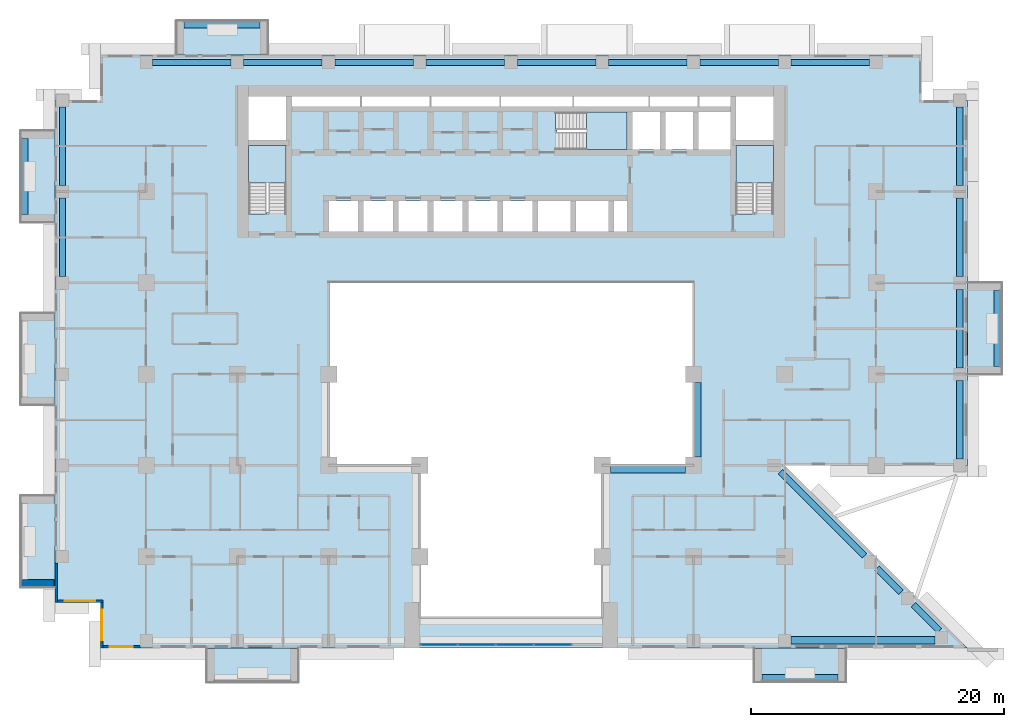
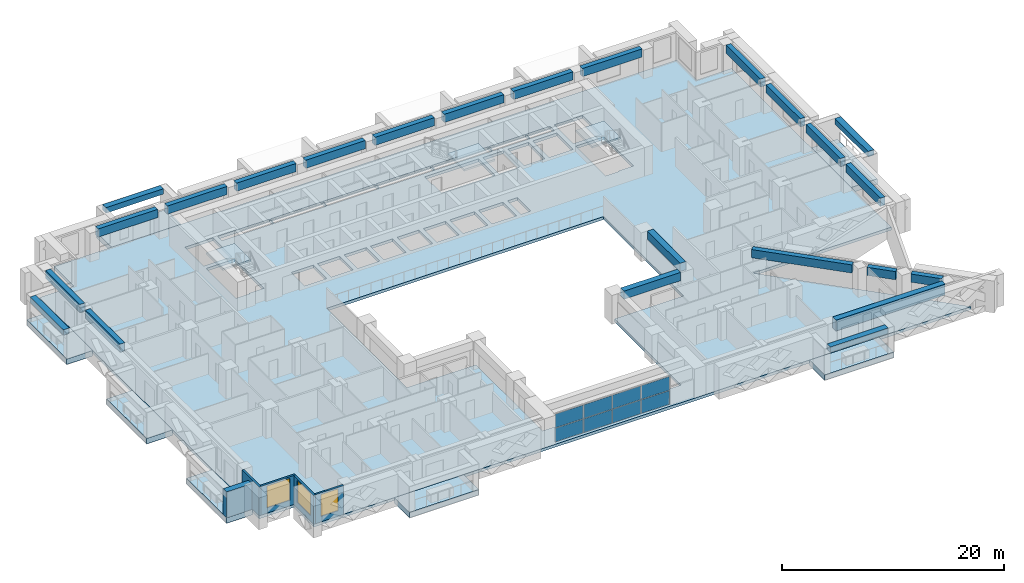
# One storey, part 5 of 17: 24 beams, 11 slabs, 8 plates, 5 walls, 3 windows, 3 openings, 4 elements without a shape of their own.
"""IFC4 building model written with IfcOpenShell, lengths in metres."""

import ifcopenshell
import ifcopenshell.guid

model = None  # the IFC model being written
_history = None  # IfcOwnerHistory: only IFC2X3 demands one
_inside = {}  # id of a spatial element -> (the spatial element, [elements in it])
_under = {}  # id of a project, library or spatial element -> (it, [spatial elements below it])
_declared = {}  # id of a project -> (the project, [libraries it declares])
_typed = {}  # id of a type object -> (the type object, [elements of that type])
_made_of = {}  # id of a material, layer set ... -> (it, [elements and type objects made of it])


def new_model(schema):
    """Start an empty IFC model of exactly this schema.

    Asked for "IFC4X3", IfcOpenShell would pick the latest addendum, in which some entities
    have other attributes; the version numbers below select the first issue.
    IFC2X3 requires an IfcOwnerHistory on every rooted entity: one is made here for all.
    """
    global model, _history
    if schema == "IFC4X3":
        model = ifcopenshell.file(schema_version=(4, 3, 0, 0))
    else:
        model = ifcopenshell.file(schema=schema)
    _inside.clear()
    _under.clear()
    _declared.clear()
    _typed.clear()
    _made_of.clear()
    _history = None
    if model.schema == "IFC2X3":
        org = make("IfcOrganization", Name="unknown")
        user = make(
            "IfcPersonAndOrganization",
            ThePerson=make("IfcPerson", FamilyName="unknown"),
            TheOrganization=org,
        )
        app = make(
            "IfcApplication",
            ApplicationDeveloper=org,
            Version="unknown",
            ApplicationFullName="unknown",
            ApplicationIdentifier="unknown",
        )
        _history = make(
            "IfcOwnerHistory",
            OwningUser=user,
            OwningApplication=app,
            ChangeAction="ADDED",
            CreationDate=0,
        )
    return model


def make(cls, **values):
    """One entity of the class cls with the attributes given. An attribute that is None is left unset."""
    return model.create_entity(
        cls, **{name: value for name, value in values.items() if value is not None}
    )


def rooted(cls, **values):
    """An entity with a GlobalId (a new one), such as an element, a storey or a relation."""
    return make(cls, GlobalId=ifcopenshell.guid.new(), OwnerHistory=_history, **values)


def si_unit(unit_type, name, prefix=None):
    """IfcSIUnit, for example si_unit("LENGTHUNIT", "METRE", prefix="MILLI")."""
    return make("IfcSIUnit", UnitType=unit_type, Prefix=prefix, Name=name)


def assignment(units):
    """IfcUnitAssignment: the units of a project."""
    return None if units is None else make("IfcUnitAssignment", Units=units)


def point(xyz):
    """IfcCartesianPoint."""
    return None if xyz is None else make("IfcCartesianPoint", Coordinates=xyz)


def direction(xyz):
    """IfcDirection."""
    return None if xyz is None else make("IfcDirection", DirectionRatios=xyz)


def frame(location, z_axis=None, x_axis=None):
    """IfcAxis2Placement3D, a coordinate frame: its origin and axes. An axis left out is left unset."""
    return make(
        "IfcAxis2Placement3D",
        Location=point(location),
        Axis=direction(z_axis),
        RefDirection=direction(x_axis),
    )


def frame_2d(location, x_axis=None):
    """IfcAxis2Placement2D, a coordinate frame in the plane: its origin and x axis."""
    return make(
        "IfcAxis2Placement2D", Location=point(location), RefDirection=direction(x_axis)
    )


def origin():
    """The frame at (0, 0, 0) with its axes left unset."""
    return frame((0.0, 0.0, 0.0))


def origin_2d():
    """The frame at (0, 0) in the plane with its x axis left unset."""
    return frame_2d((0.0, 0.0))


def place(relative_to, where):
    """IfcLocalPlacement: puts the frame where relative to a parent placement (None: the world)."""
    return make(
        "IfcLocalPlacement", PlacementRelTo=relative_to, RelativePlacement=where
    )


def context(
    kind, dimensions, precision=None, world=None, true_north=None, identifier=None
):
    """IfcGeometricRepresentationContext, for example the 3D "Model" context."""
    return make(
        "IfcGeometricRepresentationContext",
        ContextIdentifier=identifier,
        ContextType=kind,
        CoordinateSpaceDimension=dimensions,
        Precision=precision,
        WorldCoordinateSystem=world,
        TrueNorth=true_north,
    )


def subcontext(parent, identifier, kind, view, scale=None):
    """IfcGeometricRepresentationSubContext, for example "Body" below "Model"."""
    return make(
        "IfcGeometricRepresentationSubContext",
        ContextIdentifier=identifier,
        ContextType=kind,
        ParentContext=parent,
        TargetScale=scale,
        TargetView=view,
    )


def project(units=None, contexts=None):
    """IfcProject with its units and contexts."""
    return rooted(
        "IfcProject",
        Name="project",
        RepresentationContexts=contexts,
        UnitsInContext=assignment(units),
    )


def spatial(cls, under=None, at=None, **own):
    """A site, building, storey or space (cls), placed at a placement, below another one or the project."""
    s = rooted(cls, ObjectPlacement=at, **own)
    if under is not None:
        _under.setdefault(under.id(), (under, []))[1].append(s)
    return s


def polyline(points):
    """IfcPolyline through the points."""
    return make("IfcPolyline", Points=[point(p) for p in points])


def profile(cls, at=None, kind="AREA", **sizes):
    """A parametric profile (cls). Its sizes go by their IFC names, for example OverallWidth=200.0."""
    return make(cls, ProfileType=kind, Position=at, **sizes)


def rectangle(**sizes):
    """IfcRectangleProfileDef."""
    return profile("IfcRectangleProfileDef", **sizes)


def outline(outer, holes=None, kind="AREA"):
    """IfcArbitraryClosedProfileDef: a profile drawn as a closed curve; with holes, ...WithVoids."""
    if holes is None:
        return make("IfcArbitraryClosedProfileDef", ProfileType=kind, OuterCurve=outer)
    return make(
        "IfcArbitraryProfileDefWithVoids",
        ProfileType=kind,
        OuterCurve=outer,
        InnerCurves=holes,
    )


def extrude(swept, where, along, depth):
    """IfcExtrudedAreaSolid: the profile swept, set in the frame where, extruded along a direction by depth."""
    return make(
        "IfcExtrudedAreaSolid",
        SweptArea=swept,
        Position=where,
        ExtrudedDirection=direction(along),
        Depth=depth,
    )


def shape(context_of_items, identifier, shape_type, items):
    """IfcShapeRepresentation: the items that make up one representation, for example the "Body"."""
    return make(
        "IfcShapeRepresentation",
        ContextOfItems=context_of_items,
        RepresentationIdentifier=identifier,
        RepresentationType=shape_type,
        Items=items,
    )


def source(mapping_origin, context_of_items, identifier, shape_type, items):
    """IfcRepresentationMap: a shape defined once, which mapped items show again and again."""
    return make(
        "IfcRepresentationMap",
        MappingOrigin=mapping_origin,
        MappedRepresentation=shape(context_of_items, identifier, shape_type, items),
    )


def transform(
    local_origin,
    x_axis=None,
    y_axis=None,
    z_axis=None,
    scale=None,
    scale2=None,
    scale3=None,
    uniform=True,
):
    """IfcCartesianTransformationOperator3D, or its non-uniform kind. x_axis, y_axis, z_axis: its Axis1, 2, 3."""
    if uniform:
        return make(
            "IfcCartesianTransformationOperator3D",
            Axis1=direction(x_axis),
            Axis2=direction(y_axis),
            LocalOrigin=point(local_origin),
            Scale=scale,
            Axis3=direction(z_axis),
        )
    return make(
        "IfcCartesianTransformationOperator3DnonUniform",
        Axis1=direction(x_axis),
        Axis2=direction(y_axis),
        LocalOrigin=point(local_origin),
        Scale=scale,
        Axis3=direction(z_axis),
        Scale2=scale2,
        Scale3=scale3,
    )


def mapped(mapping_source, mapping_target):
    """IfcMappedItem: shows the shape of a source again, moved by a transform."""
    return make(
        "IfcMappedItem", MappingSource=mapping_source, MappingTarget=mapping_target
    )


def material(Name=None, Category=None):
    """IfcMaterial."""
    return make("IfcMaterial", Name=Name, Category=Category)


def layer(
    of_material, thickness, ventilated=None, Name=None, Category=None, Priority=None
):
    """IfcMaterialLayer: one layer of a wall or slab, of a material (None: an air gap)."""
    return make(
        "IfcMaterialLayer",
        Material=of_material,
        LayerThickness=thickness,
        IsVentilated=ventilated,
        Name=Name,
        Category=Category,
        Priority=Priority,
    )


def layer_set(layers, Name=None):
    """IfcMaterialLayerSet."""
    return make("IfcMaterialLayerSet", MaterialLayers=layers, LayerSetName=Name)


def material_profile(
    of_material, cross_section, Name=None, Category=None, Priority=None
):
    """IfcMaterialProfile: a cross section and its material."""
    return make(
        "IfcMaterialProfile",
        Name=Name,
        Material=of_material,
        Profile=cross_section,
        Priority=Priority,
        Category=Category,
    )


def profile_set(profiles, Name=None, composite=None):
    """IfcMaterialProfileSet."""
    return make(
        "IfcMaterialProfileSet",
        Name=Name,
        MaterialProfiles=profiles,
        CompositeProfile=composite,
    )


def made_of(thing, what):
    """Note that an element or type object is made of a material, layer set ...; save() writes the relation."""
    if what is not None:
        _made_of.setdefault(what.id(), (what, []))[1].append(thing)
    return thing


def type_object(cls, material=None, **own):
    """A type object (cls), such as IfcWallType, which elements share."""
    return made_of(rooted(cls, **own), material)


def element(
    cls,
    number,
    at=None,
    inside=None,
    cuts=None,
    type_object=None,
    material=None,
    context=None,
    identifier="Body",
    shape_type=None,
    held_by="IfcProductDefinitionShape",
    body=None,
    shapes=None,
    **own,
):
    """One element of the class cls, such as IfcWall. Its Tag is "e" and its number.

    at: its placement. inside: the storey or other place that contains it. cuts: it is an
    opening in that element (IfcRelVoidsElement). A single representation is given by context,
    identifier, shape_type and body (its items); several are given by shapes. held_by: the class
    of the entity that holds the representations. save() writes the other relations.
    """
    e = rooted(cls, Tag="e%d" % number, ObjectPlacement=at, **own)
    if body is not None:
        shapes = [shape(context, identifier, shape_type, body)]
    if shapes is not None:
        e.Representation = make(held_by, Representations=shapes)
    if inside is not None:
        _inside.setdefault(inside.id(), (inside, []))[1].append(e)
    if cuts is not None:
        rooted(
            "IfcRelVoidsElement", RelatingBuildingElement=cuts, RelatedOpeningElement=e
        )
    if type_object is not None:
        _typed.setdefault(type_object.id(), (type_object, []))[1].append(e)
    return made_of(e, material)


def fill(opening, filler):
    """IfcRelFillsElement: the door or window that sits in an opening."""
    return rooted(
        "IfcRelFillsElement",
        RelatingOpeningElement=opening,
        RelatedBuildingElement=filler,
    )


def aggregate(whole, parts):
    """IfcRelAggregates: a whole, such as a stair, and the parts it consists of."""
    return rooted("IfcRelAggregates", RelatingObject=whole, RelatedObjects=parts)


def save(model, path):
    """Write the relations noted so far, then the file.

    IfcRelAggregates (storeys below a building ...), IfcRelContainedInSpatialStructure (elements
    in a storey), IfcRelDefinesByType, IfcRelAssociatesMaterial and IfcRelDeclares: one each for
    every whole, place, type object, material and project.
    """
    for whole, parts in _under.values():
        aggregate(whole, parts)
    for where, things in _inside.values():
        rooted(
            "IfcRelContainedInSpatialStructure",
            RelatedElements=things,
            RelatingStructure=where,
        )
    for kind, things in _typed.values():
        rooted("IfcRelDefinesByType", RelatedObjects=things, RelatingType=kind)
    for what, things in _made_of.values():
        rooted("IfcRelAssociatesMaterial", RelatedObjects=things, RelatingMaterial=what)
    for by, libraries in _declared.values():
        rooted("IfcRelDeclares", RelatingContext=by, RelatedDefinitions=libraries)
    model.write(path)


model = new_model("IFC4")

# Units and contexts
model_context = context("Model", 3, precision=1e-05, world=origin(), true_north=direction((0.0, 1.0)))
body_context = subcontext(model_context, "Body", "Model", "MODEL_VIEW")
ifc_project = project(units=[si_unit("LENGTHUNIT", "METRE"), si_unit("AREAUNIT", "SQUARE_METRE"), si_unit("VOLUMEUNIT", "CUBIC_METRE"), si_unit("PLANEANGLEUNIT", "RADIAN"), si_unit("MASSUNIT", "GRAM", prefix="KILO")], contexts=[model_context])

# Site, building, storey
site_placement = place(None, origin())
site = spatial("IfcSite", under=ifc_project, at=site_placement, CompositionType="ELEMENT")
building_placement = place(site_placement, origin())
building = spatial("IfcBuilding", under=site, at=building_placement, Name="Saffron Iwan Residences", CompositionType="ELEMENT")
storey_placement = place(building_placement, frame((0.0, 0.0, 86.5)))
storey = spatial("IfcBuildingStorey", under=building, at=storey_placement, Name="L22", CompositionType="ELEMENT", Elevation=86.5)

# Beams
ifc_material_1 = material(Name="Concrete C60/75", Category="concrete")
ifc_material_profile_1 = material_profile(ifc_material_1, rectangle(XDim=0.5, YDim=0.89990234375, at=origin_2d()), Name="RC 500x900")
ifc_profile_set_1 = profile_set([ifc_material_profile_1], Name="Concrete C60/75")
beam_type_1 = type_object("IfcBeamType", Name="SPANDREL BEAM RC 500x900 C60/75 TOP 3180", PredefinedType="SPANDREL", material=ifc_profile_set_1)
shared_shape_1 = source(origin(), body_context, "Body", "SweptSolid", [
    extrude(rectangle(XDim=0.5, YDim=0.89990234375, at=origin_2d()), origin(), (0.0, 0.0, 1.0), 6.199951171875),
])
for number, where, z_axis, x_axis, name in (
    (1, (85.800048828125, 54.699951171875, 2.72998046875), (0.0, -1.0, 0.0), (1.0, 0.0, 0.0), "Spandrel beam"),
    (2, (85.800048828125, 61.89990234375, 2.72998046875), (0.0, -1.0, 0.0), (1.0, 0.0, 0.0), "Spandrel beam"),
    (3, (15.0, 70.10009765625, 2.72998046875), (0.0, 1.0, 0.0), (-1.0, 0.0, 0.0), "Spandrel beam"),
    (4, (85.800048828125, 76.300048828125, 2.72998046875), (0.0, -1.0, 0.0), (1.0, 0.0, 0.0), "Spandrel beam"),
    (5, (22.10009765625, 79.800048828125, 2.72998046875), (1.0, 0.0, 0.0), (0.0, 1.0, 0.0), "Spandrel beam"),
    (6, (29.300048828125, 79.800048828125, 2.72998046875), (1.0, 0.0, 0.0), (0.0, 1.0, 0.0), "Spandrel beam"),
    (7, (36.5, 79.800048828125, 2.72998046875), (1.0, 0.0, 0.0), (0.0, 1.0, 0.0), "Spandrel beam"),
    (8, (43.699951171875, 79.800048828125, 2.72998046875), (1.0, 0.0, 0.0), (0.0, 1.0, 0.0), "Spandrel beam"),
    (9, (58.10009765625, 79.800048828125, 2.72998046875), (1.0, 0.0, 0.0), (0.0, 1.0, 0.0), "Spandrel beam"),
    (10, (65.300048828125, 79.800048828125, 2.72998046875), (1.0, 0.0, 0.0), (0.0, 1.0, 0.0), "Spandrel beam"),
    (11, (72.5, 79.800048828125, 2.72998046875), (1.0, 0.0, 0.0), (0.0, 1.0, 0.0), "Spandrel beam"),
):
    element("IfcBeam", number, at=place(storey_placement, frame(where, z_axis=z_axis, x_axis=x_axis)), inside=storey, type_object=beam_type_1, Name=name, PredefinedType="SPANDREL", context=body_context, shape_type="MappedRepresentation", body=[
        mapped(shared_shape_1, transform((0.0, 0.0, 0.0))),
    ])
shared_shape_2 = source(origin(), body_context, "Body", "SweptSolid", [
    extrude(rectangle(XDim=0.5, YDim=0.89990234375, at=origin_2d()), origin(), (0.0, 0.0, 1.0), 2.90478515625),
])
beam_1_placement = place(storey_placement, frame((82.15576171875, 36.995849609375, 2.72998046875), z_axis=(0.707106781187, -0.707106781187, 0.0), x_axis=(0.707106781187, 0.707106781187, 0.0)))
element("IfcBeam", 12, at=beam_1_placement, inside=storey, type_object=beam_type_1, Name="Spandrel beam", PredefinedType="SPANDREL", context=body_context, shape_type="MappedRepresentation", body=[
    mapped(shared_shape_2, transform((0.0, 0.0, 0.0))),
])
shared_shape_3 = source(origin(), body_context, "Body", "SweptSolid", [
    extrude(rectangle(XDim=0.5, YDim=0.89990234375, at=origin_2d()), origin(), (0.0, 0.0, 1.0), 2.658935546875),
])
beam_2_placement = place(storey_placement, frame((79.275634765625, 39.875732421875, 2.72998046875), z_axis=(0.707106781187, -0.707106781187, 0.0), x_axis=(0.707106781187, 0.707106781187, 0.0)))
element("IfcBeam", 13, at=beam_2_placement, inside=storey, type_object=beam_type_1, Name="Spandrel beam", PredefinedType="SPANDREL", context=body_context, shape_type="MappedRepresentation", body=[
    mapped(shared_shape_3, transform((0.0, 0.0, 0.0))),
])
shared_shape_4 = source(origin(), body_context, "Body", "SweptSolid", [
    extrude(rectangle(XDim=0.5, YDim=0.89990234375, at=origin_2d()), origin(), (0.0, 0.0, 1.0), 9.370361328125),
])
beam_3_placement = place(storey_placement, frame((71.64990234375, 47.50146484375, 2.72998046875), z_axis=(0.707119808329, -0.707093753804, 0.0), x_axis=(0.707093753804, 0.707119808329, 0.0)))
element("IfcBeam", 14, at=beam_3_placement, inside=storey, type_object=beam_type_1, Name="Spandrel beam", PredefinedType="SPANDREL", context=body_context, shape_type="MappedRepresentation", body=[
    mapped(shared_shape_4, transform((0.0, 0.0, 0.0))),
])
shared_shape_5 = source(origin(), body_context, "Body", "SweptSolid", [
    extrude(rectangle(XDim=0.5, YDim=0.89990234375, at=origin_2d()), origin(), (0.0, 0.0, 1.0), 6.2001953125),
])
for number, where, z_axis, x_axis, name in (
    (15, (15.0, 62.89990234375, 2.72998046875), (0.0, 1.0, 0.0), (-1.0, 0.0, 0.0), "Spandrel beam"),
    (16, (85.800048828125, 69.10009765625, 2.72998046875), (0.0, -1.0, 0.0), (1.0, 0.0, 0.0), "Spandrel beam"),
    (17, (50.89990234375, 79.800048828125, 2.72998046875), (1.0, 0.0, 0.0), (0.0, 1.0, 0.0), "Spandrel beam"),
):
    element("IfcBeam", number, at=place(storey_placement, frame(where, z_axis=z_axis, x_axis=x_axis)), inside=storey, type_object=beam_type_1, Name=name, PredefinedType="SPANDREL", context=body_context, shape_type="MappedRepresentation", body=[
        mapped(shared_shape_5, transform((0.0, 0.0, 0.0))),
    ])
ifc_material_profile_2 = material_profile(ifc_material_1, rectangle(XDim=0.60009765625, YDim=1.199951171875, at=origin_2d()), Name="RC 600x1200")
ifc_profile_set_2 = profile_set([ifc_material_profile_2], Name="Concrete C60/75")
beam_type_2 = type_object("IfcBeamType", Name="LINTEL BEAM RC 600x1200 C60/75 TOP 3180", PredefinedType="LINTEL", material=ifc_profile_set_2)
shared_shape_6 = source(origin(), body_context, "Body", "SweptSolid", [
    extrude(rectangle(XDim=0.60009765625, YDim=1.199951171875, at=origin_2d()), origin(), (0.0, 0.0, 1.0), 11.367431640625),
])
beam_4_placement = place(storey_placement, frame((83.867431640625, 34.199951171875, 2.580078125), z_axis=(-1.0, 0.0, 0.0), x_axis=(0.0, -1.0, 0.0)))
element("IfcBeam", 18, at=beam_4_placement, inside=storey, type_object=beam_type_2, Name="Lintel beam over the iwan", PredefinedType="LINTEL", context=body_context, shape_type="MappedRepresentation", body=[
    mapped(shared_shape_6, transform((0.0, 0.0, 0.0))),
])
ifc_material_profile_3 = material_profile(ifc_material_1, rectangle(XDim=0.60009765625, YDim=0.89990234375, at=origin_2d()), Name="RC 600x900")
ifc_profile_set_3 = profile_set([ifc_material_profile_3], Name="Concrete C60/75")
beam_type_3 = type_object("IfcBeamType", Name="BEAM RC 600x900 C60/75 TOP 3180", PredefinedType="BEAM", material=ifc_profile_set_3)
shared_shape_7 = source(origin(), body_context, "Body", "SweptSolid", [
    extrude(rectangle(XDim=0.60009765625, YDim=0.89990234375, at=origin_2d()), origin(), (0.0, 0.0, 1.0), 5.900146484375),
])
beam_5_placement = place(storey_placement, frame((65.10009765625, 54.550048828125, 2.72998046875), z_axis=(0.0, -1.0, 0.0), x_axis=(1.0, 0.0, 0.0)))
element("IfcBeam", 19, at=beam_5_placement, inside=storey, type_object=beam_type_3, Name="Atrium edge beam", PredefinedType="BEAM", context=body_context, shape_type="MappedRepresentation", body=[
    mapped(shared_shape_7, transform((0.0, 0.0, 0.0))),
])
shared_shape_8 = source(origin(), body_context, "Body", "SweptSolid", [
    extrude(rectangle(XDim=0.60009765625, YDim=0.89990234375, at=origin_2d()), origin(), (0.0, 0.0, 1.0), 5.89990234375),
])
beam_6_placement = place(storey_placement, frame((64.14990234375, 47.699951171875, 2.72998046875), z_axis=(-1.0, 0.0, 0.0), x_axis=(0.0, -1.0, 0.0)))
element("IfcBeam", 20, at=beam_6_placement, inside=storey, type_object=beam_type_3, Name="Atrium edge beam", PredefinedType="BEAM", context=body_context, shape_type="MappedRepresentation", body=[
    mapped(shared_shape_8, transform((0.0, 0.0, 0.0))),
])
ifc_material_2 = material(Name="Concrete C50/60 white painted", Category="concrete")
ifc_material_profile_4 = material_profile(ifc_material_2, rectangle(XDim=0.60009765625, YDim=0.60009765625, at=origin_2d()), Name="BALCONY FASCIA BEAM 600 x 600")
ifc_profile_set_4 = profile_set([ifc_material_profile_4], Name="Concrete C50/60 white painted")
beam_type_4 = type_object("IfcBeamType", Name="BALCONY FASCIA BEAM 600 x 600", PredefinedType="BEAM", material=ifc_profile_set_4)
shared_shape_9 = source(origin(), body_context, "Body", "SweptSolid", [
    extrude(rectangle(XDim=0.60009765625, YDim=0.60009765625, at=origin_2d()), origin(), (0.0, 0.0, 1.0), 6.0),
])
for number, where, z_axis, x_axis, name in (
    (21, (88.800048828125, 55.800048828125, 2.550048828125), (0.0, 1.0, 0.0), (-1.0, 0.0, 0.0), "Balcony fascia beam L22 F2-0"),
    (22, (30.60009765625, 82.800048828125, 2.550048828125), (-1.0, 0.0, 0.0), (0.0, -1.0, 0.0), "Balcony fascia beam L22 F5-3"),
    (23, (12.0, 73.800048828125, 2.550048828125), (0.0, -1.0, 0.0), (1.0, 0.0, 0.0), "Balcony fascia beam L22 F8-0"),
    (24, (70.199951171875, 31.199951171875, 2.550048828125), (1.0, 0.0, 0.0), (0.0, 1.0, 0.0), "Balcony fascia beam L22 11-1"),
):
    element("IfcBeam", number, at=place(storey_placement, frame(where, z_axis=z_axis, x_axis=x_axis)), inside=storey, type_object=beam_type_4, Name=name, PredefinedType="BEAM", context=body_context, shape_type="MappedRepresentation", body=[
        mapped(shared_shape_9, transform((0.0, 0.0, 0.0))),
    ])

# Slabs
ifc_layer_1 = layer(ifc_material_2, 0.60009765625)
ifc_layer_set_1 = layer_set([ifc_layer_1], Name="Concrete C50/60 white painted")
slab_type_1 = type_object("IfcSlabType", Name="BALCONY FRAME SLAB 600", PredefinedType="FLOOR", material=ifc_layer_set_1)
slab_1_placement = place(storey_placement, frame((0.0, 0.0, -0.60009765625)))
element("IfcSlab", 25, at=slab_1_placement, inside=storey, type_object=slab_type_1, Name="Balcony frame slab L22 F2-0", PredefinedType="FLOOR", context=body_context, shape_type="SweptSolid", body=[
    extrude(outline(polyline([(89.10009765625, 55.199951171875), (89.10009765625, 62.39990234375), (86.39990234375, 62.39990234375), (86.39990234375, 55.199951171875), (89.10009765625, 55.199951171875)])), origin(), (0.0, 0.0, 1.0), 0.60009765625),
])
slab_2_placement = place(storey_placement, frame((0.0, 0.0, -0.60009765625)))
element("IfcSlab", 26, at=slab_2_placement, inside=storey, type_object=slab_type_1, Name="Balcony frame slab L22 F5-3", PredefinedType="FLOOR", context=body_context, shape_type="SweptSolid", body=[
    extrude(outline(polyline([(31.199951171875, 83.10009765625), (24.0, 83.10009765625), (24.0, 80.39990234375), (31.199951171875, 80.39990234375), (31.199951171875, 83.10009765625)])), origin(), (0.0, 0.0, 1.0), 0.60009765625),
])
slab_3_placement = place(storey_placement, frame((0.0, 0.0, -0.60009765625)))
element("IfcSlab", 27, at=slab_3_placement, inside=storey, type_object=slab_type_1, Name="Balcony frame slab L22 F8-0", PredefinedType="FLOOR", context=body_context, shape_type="SweptSolid", body=[
    extrude(outline(polyline([(11.699951171875, 74.39990234375), (11.699951171875, 67.199951171875), (14.39990234375, 67.199951171875), (14.39990234375, 74.39990234375), (11.699951171875, 74.39990234375)])), origin(), (0.0, 0.0, 1.0), 0.60009765625),
])
slab_4_placement = place(storey_placement, frame((0.0, 0.0, -0.60009765625)))
element("IfcSlab", 28, at=slab_4_placement, inside=storey, type_object=slab_type_1, Name="Balcony frame slab L22 F8-1", PredefinedType="FLOOR", context=body_context, shape_type="SweptSolid", body=[
    extrude(outline(polyline([(11.699951171875, 60.0), (11.699951171875, 52.800048828125), (14.39990234375, 52.800048828125), (14.39990234375, 60.0), (11.699951171875, 60.0)])), origin(), (0.0, 0.0, 1.0), 0.60009765625),
])
slab_5_placement = place(storey_placement, frame((0.0, 0.0, -0.60009765625)))
element("IfcSlab", 29, at=slab_5_placement, inside=storey, type_object=slab_type_1, Name="Balcony frame slab L22 F8-2", PredefinedType="FLOOR", context=body_context, shape_type="SweptSolid", body=[
    extrude(outline(polyline([(11.699951171875, 45.60009765625), (11.699951171875, 38.39990234375), (14.39990234375, 38.39990234375), (14.39990234375, 45.60009765625), (11.699951171875, 45.60009765625)])), origin(), (0.0, 0.0, 1.0), 0.60009765625),
])
slab_6_placement = place(storey_placement, frame((0.0, 0.0, -0.60009765625)))
element("IfcSlab", 30, at=slab_6_placement, inside=storey, type_object=slab_type_1, Name="Balcony frame slab L22 11-0", PredefinedType="FLOOR", context=body_context, shape_type="SweptSolid", body=[
    extrude(outline(polyline([(26.39990234375, 30.89990234375), (33.60009765625, 30.89990234375), (33.60009765625, 33.60009765625), (26.39990234375, 33.60009765625), (26.39990234375, 30.89990234375)])), origin(), (0.0, 0.0, 1.0), 0.60009765625),
])
slab_7_placement = place(storey_placement, frame((0.0, 0.0, -0.60009765625)))
element("IfcSlab", 31, at=slab_7_placement, inside=storey, type_object=slab_type_1, Name="Balcony frame slab L22 11-1", PredefinedType="FLOOR", context=body_context, shape_type="SweptSolid", body=[
    extrude(outline(polyline([(69.60009765625, 30.89990234375), (76.800048828125, 30.89990234375), (76.800048828125, 33.60009765625), (69.60009765625, 33.60009765625), (69.60009765625, 30.89990234375)])), origin(), (0.0, 0.0, 1.0), 0.60009765625),
])
ifc_material_3 = material(Name="Concrete C40/50", Category="concrete")
ifc_layer_2 = layer(ifc_material_3, 0.320068359375)
ifc_layer_set_2 = layer_set([ifc_layer_2], Name="Concrete C40/50")
slab_type_2 = type_object("IfcSlabType", Name="PT PLATE 320 C40/50", PredefinedType="FLOOR", material=ifc_layer_set_2)
slab_8_placement = place(storey_placement, frame((0.0, 0.0, -0.320068359375)))
element("IfcSlab", 32, at=slab_8_placement, inside=storey, type_object=slab_type_2, Name="Floor slab L22", PredefinedType="FLOOR", context=body_context, shape_type="SweptSolid", body=[
    extrude(outline(polyline([(14.39990234375, 37.199951171875), (14.39990234375, 76.800048828125), (18.0, 76.800048828125), (18.0, 80.39990234375), (82.800048828125, 80.39990234375), (82.800048828125, 76.800048828125), (86.39990234375, 76.800048828125), (86.39990234375, 48.0), (72.0, 48.0), (86.39990234375, 33.60009765625), (18.0, 33.60009765625), (18.0, 37.199951171875), (14.39990234375, 37.199951171875)]), holes=[polyline([(64.800048828125, 48.0), (64.800048828125, 62.39990234375), (36.0, 62.39990234375), (36.0, 48.0), (43.199951171875, 48.0), (43.199951171875, 36.0), (57.60009765625, 36.0), (57.60009765625, 48.0), (64.800048828125, 48.0)]), polyline([(38.324951171875, 68.875), (36.02490234375, 68.875), (36.02490234375, 66.449951171875), (38.324951171875, 66.449951171875), (38.324951171875, 68.875)]), polyline([(41.074951171875, 66.449951171875), (41.074951171875, 68.875), (38.77490234375, 68.875), (38.77490234375, 66.449951171875), (41.074951171875, 66.449951171875)]), polyline([(43.824951171875, 66.449951171875), (43.824951171875, 68.875), (41.52490234375, 68.875), (41.52490234375, 66.449951171875), (43.824951171875, 66.449951171875)]), polyline([(46.574951171875, 68.875), (44.27490234375, 68.875), (44.27490234375, 66.449951171875), (46.574951171875, 66.449951171875), (46.574951171875, 68.875)]), polyline([(49.324951171875, 66.449951171875), (49.324951171875, 68.875), (47.02490234375, 68.875), (47.02490234375, 66.449951171875), (49.324951171875, 66.449951171875)]), polyline([(52.074951171875, 66.449951171875), (52.074951171875, 68.875), (49.77490234375, 68.875), (49.77490234375, 66.449951171875), (52.074951171875, 66.449951171875)]), polyline([(29.699951171875, 73.25), (29.699951171875, 67.949951171875), (29.699951171875, 67.8505859375), (31.10009765625, 67.8505859375), (31.10009765625, 67.949951171875), (32.64990234375, 67.949951171875), (32.64990234375, 73.25), (29.699951171875, 73.25)]), polyline([(32.64990234375, 73.699951171875), (32.64990234375, 77.10009765625), (29.699951171875, 77.10009765625), (29.699951171875, 73.699951171875), (32.64990234375, 73.699951171875)]), polyline([(38.5, 76.324951171875), (38.5, 77.10009765625), (33.10009765625, 77.10009765625), (33.10009765625, 76.324951171875), (38.5, 76.324951171875)]), polyline([(44.0, 77.10009765625), (38.60009765625, 77.10009765625), (38.60009765625, 76.324951171875), (44.0, 76.324951171875), (44.0, 77.10009765625)]), polyline([(49.5, 76.324951171875), (49.5, 77.10009765625), (44.10009765625, 77.10009765625), (44.10009765625, 76.324951171875), (49.5, 76.324951171875)]), polyline([(55.25, 76.324951171875), (55.25, 77.10009765625), (49.60009765625, 77.10009765625), (49.60009765625, 76.324951171875), (55.25, 76.324951171875)]), polyline([(55.074951171875, 68.875), (52.52490234375, 68.875), (52.52490234375, 66.449951171875), (55.074951171875, 66.449951171875), (55.074951171875, 68.875)]), polyline([(58.074951171875, 66.449951171875), (58.074951171875, 68.875), (55.52490234375, 68.875), (55.52490234375, 66.449951171875), (58.074951171875, 66.449951171875)]), polyline([(59.550048828125, 66.449951171875), (59.550048828125, 68.875), (58.52490234375, 68.875), (58.52490234375, 66.449951171875), (59.550048828125, 66.449951171875)]), polyline([(68.14990234375, 73.25), (68.14990234375, 67.949951171875), (68.14990234375, 67.8505859375), (69.550048828125, 67.8505859375), (69.550048828125, 67.949951171875), (71.10009765625, 67.949951171875), (71.10009765625, 73.25), (68.14990234375, 73.25)]), polyline([(53.925537109375, 74.47509765625), (54.02490234375, 74.47509765625), (54.02490234375, 72.925048828125), (59.550048828125, 72.925048828125), (59.550048828125, 75.875), (54.02490234375, 75.875), (53.925537109375, 75.875), (53.925537109375, 74.47509765625)]), polyline([(62.14990234375, 72.925048828125), (62.14990234375, 75.875), (60.0, 75.875), (60.0, 72.925048828125), (62.14990234375, 72.925048828125)]), polyline([(64.75, 75.875), (62.60009765625, 75.875), (62.60009765625, 72.925048828125), (64.75, 72.925048828125), (64.75, 75.875)]), polyline([(67.699951171875, 72.925048828125), (67.699951171875, 75.875), (65.199951171875, 75.875), (65.199951171875, 72.925048828125), (67.699951171875, 72.925048828125)]), polyline([(71.10009765625, 73.699951171875), (71.10009765625, 77.10009765625), (68.14990234375, 77.10009765625), (68.14990234375, 73.699951171875), (71.10009765625, 73.699951171875)]), polyline([(61.25, 77.10009765625), (55.35009765625, 77.10009765625), (55.35009765625, 76.324951171875), (61.25, 76.324951171875), (61.25, 77.10009765625)]), polyline([(65.14990234375, 76.324951171875), (65.14990234375, 77.10009765625), (61.35009765625, 77.10009765625), (61.35009765625, 76.324951171875), (65.14990234375, 76.324951171875)]), polyline([(67.699951171875, 76.324951171875), (67.699951171875, 77.10009765625), (65.25, 77.10009765625), (65.25, 76.324951171875), (67.699951171875, 76.324951171875)])]), origin(), (0.0, 0.0, 1.0), 0.320068359375),
])

# Stair, slab
ifc_material_4 = material(Name="Concrete C50/60", Category="concrete")
stair_type = type_object("IfcStairType", Name="Stair ST-CORE", PredefinedType="HALF_TURN_STAIR", material=ifc_material_4)
stair_1_placement = place(storey_placement, origin())
stair_1 = element("IfcStair", 33, at=stair_1_placement, inside=storey, type_object=stair_type, Name="L22 Exit Stair ST-W", PredefinedType="HALF_TURN_STAIR")
ifc_layer_3 = layer(ifc_material_4, 0.199951171875)
ifc_layer_set_3 = layer_set([ifc_layer_3], Name="Concrete C50/60")
slab_type_3 = type_object("IfcSlabType", Name="Stair landing SL-RC", PredefinedType="LANDING", material=ifc_layer_set_3)
slab_9_placement = place(storey_placement, frame((0.0, 0.0, 1.5498046875)))
slab_9 = element("IfcSlab", 34, at=slab_9_placement, type_object=slab_type_3, Name="ST-W landing 1", PredefinedType="LANDING", context=body_context, shape_type="SweptSolid", body=[
    extrude(outline(polyline([(32.64990234375, 70.280029296875), (32.64990234375, 73.25), (29.699951171875, 73.25), (29.699951171875, 70.280029296875), (32.64990234375, 70.280029296875)])), origin(), (0.0, 0.0, 1.0), 0.2001953125),
])
aggregate(stair_1, [slab_9])

stair_2_placement = place(storey_placement, origin())
stair_2 = element("IfcStair", 35, at=stair_2_placement, inside=storey, type_object=stair_type, Name="L22 Exit Stair ST-C", PredefinedType="HALF_TURN_STAIR")
slab_10_placement = place(storey_placement, frame((0.0, 0.0, 1.5498046875)))
slab_10 = element("IfcSlab", 36, at=slab_10_placement, type_object=slab_type_3, Name="ST-C landing 1", PredefinedType="LANDING", context=body_context, shape_type="SweptSolid", body=[
    extrude(outline(polyline([(56.35498046875, 72.925048828125), (59.550048828125, 72.925048828125), (59.550048828125, 75.875), (56.35498046875, 75.875), (56.35498046875, 72.925048828125)])), origin(), (0.0, 0.0, 1.0), 0.2001953125),
])
aggregate(stair_2, [slab_10])

stair_3_placement = place(storey_placement, origin())
stair_3 = element("IfcStair", 37, at=stair_3_placement, inside=storey, type_object=stair_type, Name="L22 Exit Stair ST-E", PredefinedType="HALF_TURN_STAIR")
slab_11_placement = place(storey_placement, frame((0.0, 0.0, 1.5498046875)))
slab_11 = element("IfcSlab", 38, at=slab_11_placement, type_object=slab_type_3, Name="ST-E landing 1", PredefinedType="LANDING", context=body_context, shape_type="SweptSolid", body=[
    extrude(outline(polyline([(71.10009765625, 70.280029296875), (71.10009765625, 73.25), (68.14990234375, 73.25), (68.14990234375, 70.280029296875), (71.10009765625, 70.280029296875)])), origin(), (0.0, 0.0, 1.0), 0.2001953125),
])
aggregate(stair_3, [slab_11])

# Curtain wall, plates
ifc_material_5 = material(Name="Clear glass, laminated double glazed", Category="glass")
ifc_layer_4 = layer(ifc_material_5, 0.199951171875)
ifc_layer_set_4 = layer_set([ifc_layer_4], Name="Clear glass, laminated double glazed")
curtain_wall_type = type_object("IfcCurtainWallType", Name="CW-B IWAN PORTAL", PredefinedType="NOTDEFINED", material=ifc_layer_set_4)
curtain_wall_placement = place(storey_placement, origin())
curtain_wall = element("IfcCurtainWall", 39, at=curtain_wall_placement, inside=storey, type_object=curtain_wall_type, Name="Iwan portal glazing L22.1", PredefinedType="NOTDEFINED")
ifc_layer_5 = layer(ifc_material_5, 0.028076171875)
ifc_layer_set_5 = layer_set([ifc_layer_5], Name="Clear glass, laminated double glazed")
plate_type = type_object("IfcPlateType", Name="CW-B PANEL 28", PredefinedType="CURTAIN_PANEL", material=ifc_layer_set_5)
shared_shape_10 = source(origin(), body_context, "Body", "SweptSolid", [
    extrude(rectangle(XDim=2.909912109375, YDim=0.028076171875, at=origin_2d()), origin(), (0.0, 0.0, 1.0), 1.5),
])
plate_1_placement = place(storey_placement, frame((44.715087890625, 33.85009765625, 0.06005859375), z_axis=(0.0, 0.0, 1.0), x_axis=(1.0, 0.0, 0.0)))
plate_1 = element("IfcPlate", 40, at=plate_1_placement, type_object=plate_type, Name="CW-B panel 1.1", PredefinedType="CURTAIN_PANEL", context=body_context, shape_type="MappedRepresentation", body=[
    mapped(shared_shape_10, transform((0.0, 0.0, 0.0))),
])
plate_2_placement = place(storey_placement, frame((44.715087890625, 33.85009765625, 1.6201171875), z_axis=(0.0, 0.0, 1.0), x_axis=(1.0, 0.0, 0.0)))
plate_2 = element("IfcPlate", 41, at=plate_2_placement, type_object=plate_type, Name="CW-B panel 1.2", PredefinedType="CURTAIN_PANEL", context=body_context, shape_type="MappedRepresentation", body=[
    mapped(shared_shape_10, transform((0.0, 0.0, 0.0))),
])
plate_3_placement = place(storey_placement, frame((53.68505859375, 33.85009765625, 0.06005859375), z_axis=(0.0, 0.0, 1.0), x_axis=(1.0, 0.0, 0.0)))
plate_3 = element("IfcPlate", 42, at=plate_3_placement, type_object=plate_type, Name="CW-B panel 4.1", PredefinedType="CURTAIN_PANEL", context=body_context, shape_type="MappedRepresentation", body=[
    mapped(shared_shape_10, transform((0.0, 0.0, 0.0))),
])
plate_4_placement = place(storey_placement, frame((53.68505859375, 33.85009765625, 1.6201171875), z_axis=(0.0, 0.0, 1.0), x_axis=(1.0, 0.0, 0.0)))
plate_4 = element("IfcPlate", 43, at=plate_4_placement, type_object=plate_type, Name="CW-B panel 4.2", PredefinedType="CURTAIN_PANEL", context=body_context, shape_type="MappedRepresentation", body=[
    mapped(shared_shape_10, transform((0.0, 0.0, 0.0))),
])
shared_shape_11 = source(origin(), body_context, "Body", "SweptSolid", [
    extrude(rectangle(XDim=2.93994140625, YDim=0.028076171875, at=origin_2d()), origin(), (0.0, 0.0, 1.0), 1.5),
])
plate_5_placement = place(storey_placement, frame((47.699951171875, 33.85009765625, 0.06005859375), z_axis=(0.0, 0.0, 1.0), x_axis=(1.0, 0.0, 0.0)))
plate_5 = element("IfcPlate", 44, at=plate_5_placement, type_object=plate_type, Name="CW-B panel 2.1", PredefinedType="CURTAIN_PANEL", context=body_context, shape_type="MappedRepresentation", body=[
    mapped(shared_shape_11, transform((0.0, 0.0, 0.0))),
])
plate_6_placement = place(storey_placement, frame((47.699951171875, 33.85009765625, 1.6201171875), z_axis=(0.0, 0.0, 1.0), x_axis=(1.0, 0.0, 0.0)))
plate_6 = element("IfcPlate", 45, at=plate_6_placement, type_object=plate_type, Name="CW-B panel 2.2", PredefinedType="CURTAIN_PANEL", context=body_context, shape_type="MappedRepresentation", body=[
    mapped(shared_shape_11, transform((0.0, 0.0, 0.0))),
])
plate_7_placement = place(storey_placement, frame((50.699951171875, 33.85009765625, 0.06005859375), z_axis=(0.0, 0.0, 1.0), x_axis=(1.0, 0.0, 0.0)))
plate_7 = element("IfcPlate", 46, at=plate_7_placement, type_object=plate_type, Name="CW-B panel 3.1", PredefinedType="CURTAIN_PANEL", context=body_context, shape_type="MappedRepresentation", body=[
    mapped(shared_shape_11, transform((0.0, 0.0, 0.0))),
])
plate_8_placement = place(storey_placement, frame((50.699951171875, 33.85009765625, 1.6201171875), z_axis=(0.0, 0.0, 1.0), x_axis=(1.0, 0.0, 0.0)))
plate_8 = element("IfcPlate", 47, at=plate_8_placement, type_object=plate_type, Name="CW-B panel 3.2", PredefinedType="CURTAIN_PANEL", context=body_context, shape_type="MappedRepresentation", body=[
    mapped(shared_shape_11, transform((0.0, 0.0, 0.0))),
])
aggregate(curtain_wall, [plate_1, plate_2, plate_5, plate_6, plate_7, plate_8, plate_3, plate_4])

# Walls
ifc_layer_6 = layer(ifc_material_2, 0.60009765625)
ifc_layer_set_6 = layer_set([ifc_layer_6], Name="Concrete C50/60 white painted")
wall_type_1 = type_object("IfcWallType", Name="BALCONY FIN 600", PredefinedType="SOLIDWALL", material=ifc_layer_set_6)
wall_1_placement = place(storey_placement, frame((14.35009765625, 38.699951171875, 0.0), z_axis=(0.0, 0.0, 1.0), x_axis=(-1.0, 0.0, 0.0)))
element("IfcWall", 48, at=wall_1_placement, inside=storey, type_object=wall_type_1, Name="Balcony fin L22 F8-2b", PredefinedType="SOLIDWALL", context=body_context, shape_type="SweptSolid", body=[
    extrude(rectangle(XDim=2.650146484375, YDim=0.60009765625, at=frame_2d((1.3251953125, 0.0))), origin(), (0.0, 0.0, 1.0), 2.85009765625),
])
ifc_layer_7 = layer(ifc_material_3, 0.199951171875)
ifc_layer_set_7 = layer_set([ifc_layer_7], Name="Concrete C40/50")
wall_type_2 = type_object("IfcWallType", Name="EXTERNAL WALL 200", PredefinedType="SOLIDWALL", material=ifc_layer_set_7)
wall_2_placement = place(storey_placement, frame((14.5, 40.300048828125, 0.0), z_axis=(0.0, 0.0, 1.0), x_axis=(0.0, -1.0, 0.0)))
element("IfcWall", 49, at=wall_2_placement, inside=storey, type_object=wall_type_2, Name="External wall L22 F8.5", PredefinedType="SOLIDWALL", context=body_context, shape_type="SweptSolid", body=[
    extrude(rectangle(XDim=3.10009765625, YDim=0.199951171875, at=frame_2d((1.550048828125, 0.0))), origin(), (0.0, 0.0, 1.0), 3.179931640625),
])

# Wall, opening, window
wall_3_placement = place(storey_placement, frame((14.60009765625, 37.300048828125, 0.0), z_axis=(0.0, 0.0, 1.0), x_axis=(1.0, 0.0, 0.0)))
wall_3 = element("IfcWall", 50, at=wall_3_placement, inside=storey, type_object=wall_type_2, Name="External wall L22 F9.0", PredefinedType="SOLIDWALL", context=body_context, shape_type="SweptSolid", body=[
    extrude(rectangle(XDim=3.599853515625, YDim=0.199951171875, at=frame_2d((1.7998046875, 0.0))), origin(), (0.0, 0.0, 1.0), 3.179931640625),
])
opening_1_placement = place(wall_3_placement, frame((0.60009765625, 0.0, 0.60009765625)))
opening_1 = element("IfcOpeningElement", 51, at=opening_1_placement, cuts=wall_3, Name="Opening W1", PredefinedType="OPENING", context=body_context, shape_type="SweptSolid", body=[
    extrude(rectangle(XDim=2.39990234375, YDim=2.39990234375, at=frame_2d((1.199951171875, 1.199951171875))), frame((0.0, 0.10986328125, 0.0), z_axis=(0.0, -1.0, 0.0), x_axis=(1.0, 0.0, 0.0)), (0.0, 0.0, 1.0), 0.219970703125),
])
window_type_1 = type_object("IfcWindowType", Name="WINDOW 2400 x 2400", PartitioningType="DOUBLE_PANEL_VERTICAL", PredefinedType="WINDOW", material=ifc_material_5)
window_1_placement = place(opening_1_placement, origin())
window_1 = element("IfcWindow", 52, at=window_1_placement, inside=storey, type_object=window_type_1, Name="Window L22 F9.0", OverallHeight=2.39990234375, OverallWidth=2.39990234375, PartitioningType="DOUBLE_PANEL_VERTICAL", PredefinedType="WINDOW", context=body_context, shape_type="SweptSolid", body=[
    extrude(rectangle(XDim=2.39990234375, YDim=2.39990234375, at=frame_2d((1.199951171875, 1.199951171875))), frame((0.0, 0.030029296875, 0.0), z_axis=(0.0, -1.0, 0.0), x_axis=(1.0, 0.0, 0.0)), (0.0, 0.0, 1.0), 0.06005859375),
])
fill(opening_1, window_1)

wall_4_placement = place(storey_placement, frame((18.10009765625, 37.199951171875, 0.0), z_axis=(0.0, 0.0, 1.0), x_axis=(0.0, -1.0, 0.0)))
wall_4 = element("IfcWall", 53, at=wall_4_placement, inside=storey, type_object=wall_type_2, Name="External wall L22 F10.0", PredefinedType="SOLIDWALL", context=body_context, shape_type="SweptSolid", body=[
    extrude(rectangle(XDim=3.599853515625, YDim=0.199951171875, at=frame_2d((1.7998046875, 0.0))), origin(), (0.0, 0.0, 1.0), 3.179931640625),
])
opening_2_placement = place(wall_4_placement, frame((0.60009765625, 0.0, 0.60009765625)))
opening_2 = element("IfcOpeningElement", 54, at=opening_2_placement, cuts=wall_4, Name="Opening W1", PredefinedType="OPENING", context=body_context, shape_type="SweptSolid", body=[
    extrude(rectangle(XDim=2.39990234375, YDim=2.39990234375, at=frame_2d((1.199951171875, 1.199951171875))), frame((0.0, 0.10986328125, 0.0), z_axis=(0.0, -1.0, 0.0), x_axis=(1.0, 0.0, 0.0)), (0.0, 0.0, 1.0), 0.219970703125),
])
window_2_placement = place(opening_2_placement, origin())
window_2 = element("IfcWindow", 55, at=window_2_placement, inside=storey, type_object=window_type_1, Name="Window L22 F10.0", OverallHeight=2.39990234375, OverallWidth=2.39990234375, PartitioningType="DOUBLE_PANEL_VERTICAL", PredefinedType="WINDOW", context=body_context, shape_type="SweptSolid", body=[
    extrude(rectangle(XDim=2.39990234375, YDim=2.39990234375, at=frame_2d((1.199951171875, 1.199951171875))), frame((0.0, 0.030029296875, 0.0), z_axis=(0.0, -1.0, 0.0), x_axis=(1.0, 0.0, 0.0)), (0.0, 0.0, 1.0), 0.06005859375),
])
fill(opening_2, window_2)

wall_5_placement = place(storey_placement, frame((18.199951171875, 33.699951171875, 0.0), z_axis=(0.0, 0.0, 1.0), x_axis=(1.0, 0.0, 0.0)))
wall_5 = element("IfcWall", 56, at=wall_5_placement, inside=storey, type_object=wall_type_2, Name="External wall L22 F11.0", PredefinedType="SOLIDWALL", context=body_context, shape_type="SweptSolid", body=[
    extrude(rectangle(XDim=2.900146484375, YDim=0.199951171875, at=frame_2d((1.4501953125, 0.0))), origin(), (0.0, 0.0, 1.0), 3.179931640625),
])
opening_3_placement = place(wall_5_placement, frame((0.550048828125, 0.0, 0.60009765625)))
opening_3 = element("IfcOpeningElement", 57, at=opening_3_placement, cuts=wall_5, Name="Opening W8", PredefinedType="OPENING", context=body_context, shape_type="SweptSolid", body=[
    extrude(rectangle(XDim=1.800048828125, YDim=2.39990234375, at=frame_2d((0.89990234375, 1.199951171875))), frame((0.0, 0.10986328125, 0.0), z_axis=(0.0, -1.0, 0.0), x_axis=(1.0, 0.0, 0.0)), (0.0, 0.0, 1.0), 0.219970703125),
])
window_type_2 = type_object("IfcWindowType", Name="WINDOW 1800 x 2400", PartitioningType="DOUBLE_PANEL_VERTICAL", PredefinedType="WINDOW", material=ifc_material_5)
window_3_placement = place(opening_3_placement, origin())
window_3 = element("IfcWindow", 58, at=window_3_placement, inside=storey, type_object=window_type_2, Name="Window L22 F11.0", OverallHeight=2.39990234375, OverallWidth=1.800048828125, PartitioningType="DOUBLE_PANEL_VERTICAL", PredefinedType="WINDOW", context=body_context, shape_type="SweptSolid", body=[
    extrude(rectangle(XDim=1.800048828125, YDim=2.39990234375, at=frame_2d((0.89990234375, 1.199951171875))), frame((0.0, 0.030029296875, 0.0), z_axis=(0.0, -1.0, 0.0), x_axis=(1.0, 0.0, 0.0)), (0.0, 0.0, 1.0), 0.06005859375),
])
fill(opening_3, window_3)

save(model, "model.ifc")
